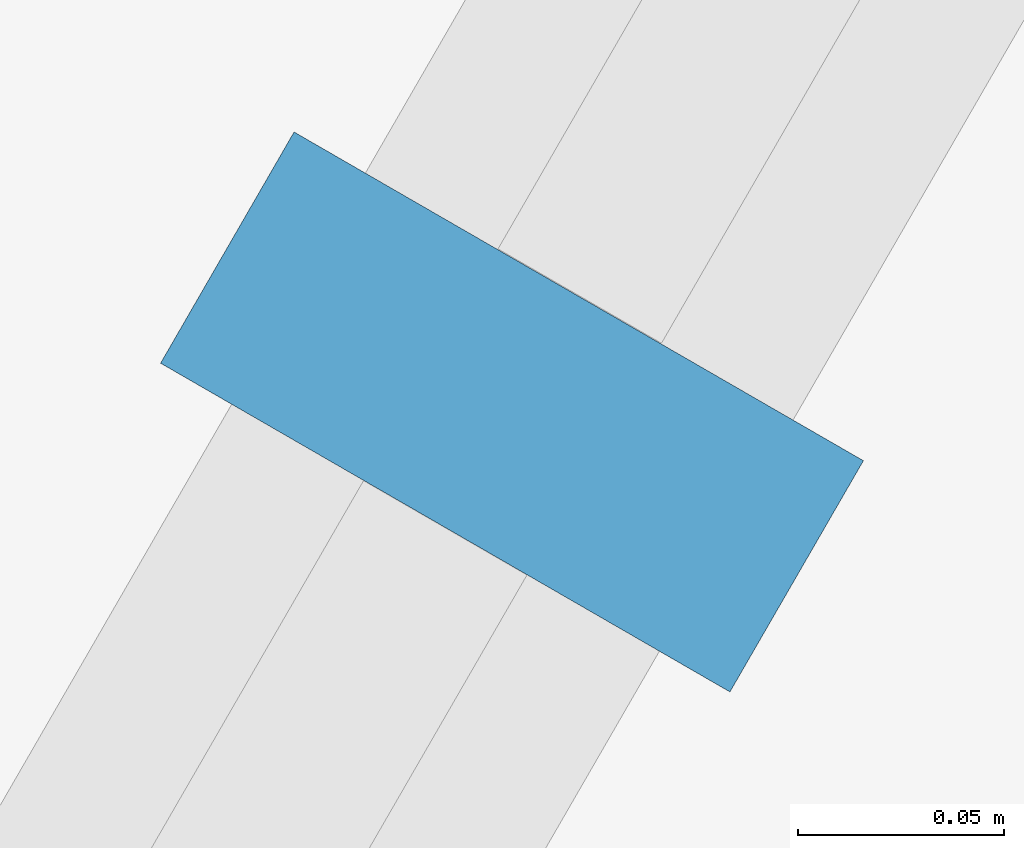
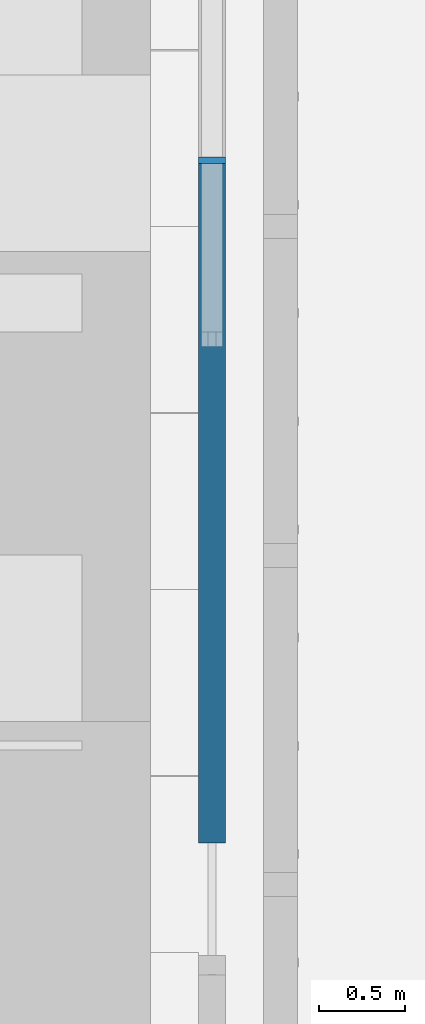
# One storey, part 110 of 228: 1 member, 1 element without a shape of its own.
"""IFC4 building model written with IfcOpenShell, lengths in metres."""

import ifcopenshell
import ifcopenshell.guid

model = None  # the IFC model being written
_history = None  # IfcOwnerHistory: only IFC2X3 demands one
_inside = {}  # id of a spatial element -> (the spatial element, [elements in it])
_under = {}  # id of a project, library or spatial element -> (it, [spatial elements below it])
_declared = {}  # id of a project -> (the project, [libraries it declares])
_typed = {}  # id of a type object -> (the type object, [elements of that type])
_made_of = {}  # id of a material, layer set ... -> (it, [elements and type objects made of it])


def new_model(schema):
    """Start an empty IFC model of exactly this schema.

    Asked for "IFC4X3", IfcOpenShell would pick the latest addendum, in which some entities
    have other attributes; the version numbers below select the first issue.
    IFC2X3 requires an IfcOwnerHistory on every rooted entity: one is made here for all.
    """
    global model, _history
    if schema == "IFC4X3":
        model = ifcopenshell.file(schema_version=(4, 3, 0, 0))
    else:
        model = ifcopenshell.file(schema=schema)
    _inside.clear()
    _under.clear()
    _declared.clear()
    _typed.clear()
    _made_of.clear()
    _history = None
    if model.schema == "IFC2X3":
        org = make("IfcOrganization", Name="unknown")
        user = make(
            "IfcPersonAndOrganization",
            ThePerson=make("IfcPerson", FamilyName="unknown"),
            TheOrganization=org,
        )
        app = make(
            "IfcApplication",
            ApplicationDeveloper=org,
            Version="unknown",
            ApplicationFullName="unknown",
            ApplicationIdentifier="unknown",
        )
        _history = make(
            "IfcOwnerHistory",
            OwningUser=user,
            OwningApplication=app,
            ChangeAction="ADDED",
            CreationDate=0,
        )
    return model


def make(cls, **values):
    """One entity of the class cls with the attributes given. An attribute that is None is left unset."""
    return model.create_entity(
        cls, **{name: value for name, value in values.items() if value is not None}
    )


def rooted(cls, **values):
    """An entity with a GlobalId (a new one), such as an element, a storey or a relation."""
    return make(cls, GlobalId=ifcopenshell.guid.new(), OwnerHistory=_history, **values)


def si_unit(unit_type, name, prefix=None):
    """IfcSIUnit, for example si_unit("LENGTHUNIT", "METRE", prefix="MILLI")."""
    return make("IfcSIUnit", UnitType=unit_type, Prefix=prefix, Name=name)


def assignment(units):
    """IfcUnitAssignment: the units of a project."""
    return None if units is None else make("IfcUnitAssignment", Units=units)


def point(xyz):
    """IfcCartesianPoint."""
    return None if xyz is None else make("IfcCartesianPoint", Coordinates=xyz)


def direction(xyz):
    """IfcDirection."""
    return None if xyz is None else make("IfcDirection", DirectionRatios=xyz)


def frame(location, z_axis=None, x_axis=None):
    """IfcAxis2Placement3D, a coordinate frame: its origin and axes. An axis left out is left unset."""
    return make(
        "IfcAxis2Placement3D",
        Location=point(location),
        Axis=direction(z_axis),
        RefDirection=direction(x_axis),
    )


def frame_2d(location, x_axis=None):
    """IfcAxis2Placement2D, a coordinate frame in the plane: its origin and x axis."""
    return make(
        "IfcAxis2Placement2D", Location=point(location), RefDirection=direction(x_axis)
    )


def origin():
    """The frame at (0, 0, 0) with its axes left unset."""
    return frame((0.0, 0.0, 0.0))


def origin_2d():
    """The frame at (0, 0) in the plane with its x axis left unset."""
    return frame_2d((0.0, 0.0))


def place(relative_to, where):
    """IfcLocalPlacement: puts the frame where relative to a parent placement (None: the world)."""
    return make(
        "IfcLocalPlacement", PlacementRelTo=relative_to, RelativePlacement=where
    )


def context(
    kind, dimensions, precision=None, world=None, true_north=None, identifier=None
):
    """IfcGeometricRepresentationContext, for example the 3D "Model" context."""
    return make(
        "IfcGeometricRepresentationContext",
        ContextIdentifier=identifier,
        ContextType=kind,
        CoordinateSpaceDimension=dimensions,
        Precision=precision,
        WorldCoordinateSystem=world,
        TrueNorth=true_north,
    )


def subcontext(parent, identifier, kind, view, scale=None):
    """IfcGeometricRepresentationSubContext, for example "Body" below "Model"."""
    return make(
        "IfcGeometricRepresentationSubContext",
        ContextIdentifier=identifier,
        ContextType=kind,
        ParentContext=parent,
        TargetScale=scale,
        TargetView=view,
    )


def project(units=None, contexts=None):
    """IfcProject with its units and contexts."""
    return rooted(
        "IfcProject",
        Name="project",
        RepresentationContexts=contexts,
        UnitsInContext=assignment(units),
    )


def spatial(cls, under=None, at=None, **own):
    """A site, building, storey or space (cls), placed at a placement, below another one or the project."""
    s = rooted(cls, ObjectPlacement=at, **own)
    if under is not None:
        _under.setdefault(under.id(), (under, []))[1].append(s)
    return s


def profile(cls, at=None, kind="AREA", **sizes):
    """A parametric profile (cls). Its sizes go by their IFC names, for example OverallWidth=200.0."""
    return make(cls, ProfileType=kind, Position=at, **sizes)


def rectangle(**sizes):
    """IfcRectangleProfileDef."""
    return profile("IfcRectangleProfileDef", **sizes)


def extrude(swept, where, along, depth):
    """IfcExtrudedAreaSolid: the profile swept, set in the frame where, extruded along a direction by depth."""
    return make(
        "IfcExtrudedAreaSolid",
        SweptArea=swept,
        Position=where,
        ExtrudedDirection=direction(along),
        Depth=depth,
    )


def shape(context_of_items, identifier, shape_type, items):
    """IfcShapeRepresentation: the items that make up one representation, for example the "Body"."""
    return make(
        "IfcShapeRepresentation",
        ContextOfItems=context_of_items,
        RepresentationIdentifier=identifier,
        RepresentationType=shape_type,
        Items=items,
    )


def material(Name=None, Category=None):
    """IfcMaterial."""
    return make("IfcMaterial", Name=Name, Category=Category)


def material_profile(
    of_material, cross_section, Name=None, Category=None, Priority=None
):
    """IfcMaterialProfile: a cross section and its material."""
    return make(
        "IfcMaterialProfile",
        Name=Name,
        Material=of_material,
        Profile=cross_section,
        Priority=Priority,
        Category=Category,
    )


def profile_set(profiles, Name=None, composite=None):
    """IfcMaterialProfileSet."""
    return make(
        "IfcMaterialProfileSet",
        Name=Name,
        MaterialProfiles=profiles,
        CompositeProfile=composite,
    )


def made_of(thing, what):
    """Note that an element or type object is made of a material, layer set ...; save() writes the relation."""
    if what is not None:
        _made_of.setdefault(what.id(), (what, []))[1].append(thing)
    return thing


def type_object(cls, material=None, **own):
    """A type object (cls), such as IfcWallType, which elements share."""
    return made_of(rooted(cls, **own), material)


def element(
    cls,
    number,
    at=None,
    inside=None,
    cuts=None,
    type_object=None,
    material=None,
    context=None,
    identifier="Body",
    shape_type=None,
    held_by="IfcProductDefinitionShape",
    body=None,
    shapes=None,
    **own,
):
    """One element of the class cls, such as IfcWall. Its Tag is "e" and its number.

    at: its placement. inside: the storey or other place that contains it. cuts: it is an
    opening in that element (IfcRelVoidsElement). A single representation is given by context,
    identifier, shape_type and body (its items); several are given by shapes. held_by: the class
    of the entity that holds the representations. save() writes the other relations.
    """
    e = rooted(cls, Tag="e%d" % number, ObjectPlacement=at, **own)
    if body is not None:
        shapes = [shape(context, identifier, shape_type, body)]
    if shapes is not None:
        e.Representation = make(held_by, Representations=shapes)
    if inside is not None:
        _inside.setdefault(inside.id(), (inside, []))[1].append(e)
    if cuts is not None:
        rooted(
            "IfcRelVoidsElement", RelatingBuildingElement=cuts, RelatedOpeningElement=e
        )
    if type_object is not None:
        _typed.setdefault(type_object.id(), (type_object, []))[1].append(e)
    return made_of(e, material)


def aggregate(whole, parts):
    """IfcRelAggregates: a whole, such as a stair, and the parts it consists of."""
    return rooted("IfcRelAggregates", RelatingObject=whole, RelatedObjects=parts)


def save(model, path):
    """Write the relations noted so far, then the file.

    IfcRelAggregates (storeys below a building ...), IfcRelContainedInSpatialStructure (elements
    in a storey), IfcRelDefinesByType, IfcRelAssociatesMaterial and IfcRelDeclares: one each for
    every whole, place, type object, material and project.
    """
    for whole, parts in _under.values():
        aggregate(whole, parts)
    for where, things in _inside.values():
        rooted(
            "IfcRelContainedInSpatialStructure",
            RelatedElements=things,
            RelatingStructure=where,
        )
    for kind, things in _typed.values():
        rooted("IfcRelDefinesByType", RelatedObjects=things, RelatingType=kind)
    for what, things in _made_of.values():
        rooted("IfcRelAssociatesMaterial", RelatedObjects=things, RelatingMaterial=what)
    for by, libraries in _declared.values():
        rooted("IfcRelDeclares", RelatingContext=by, RelatedDefinitions=libraries)
    model.write(path)


model = new_model("IFC4")

# Units and contexts
model_context = context("Model", 3, precision=1e-05, world=origin(), true_north=direction((0.0, 1.0)))
body_context = subcontext(model_context, "Body", "Model", "MODEL_VIEW")
ifc_project = project(units=[si_unit("LENGTHUNIT", "METRE"), si_unit("AREAUNIT", "SQUARE_METRE"), si_unit("VOLUMEUNIT", "CUBIC_METRE"), si_unit("PLANEANGLEUNIT", "RADIAN"), si_unit("MASSUNIT", "GRAM", prefix="KILO")], contexts=[model_context])

# Site, building, storey
site_placement = place(None, origin())
site = spatial("IfcSite", under=ifc_project, at=site_placement, CompositionType="ELEMENT")
building_placement = place(site_placement, origin())
building = spatial("IfcBuilding", under=site, at=building_placement, Name="Sandreach Pilgrim Tower", CompositionType="ELEMENT")
storey_placement = place(building_placement, frame((0.0, 0.0, 178.199951171875)))
storey = spatial("IfcBuildingStorey", under=building, at=storey_placement, Name="L44", CompositionType="ELEMENT", Elevation=178.199951171875)

# Curtain wall, member
ifc_material_1 = material(Name="Aluminium framed curtain wall", Category="aluminium")
curtain_wall_type = type_object("IfcCurtainWallType", Name="Upper hotel tower curtain wall", PredefinedType="NOTDEFINED", material=ifc_material_1)
curtain_wall_placement = place(storey_placement, origin())
curtain_wall = element("IfcCurtainWall", 1, at=curtain_wall_placement, inside=storey, type_object=curtain_wall_type, Name="CW-3 L44 SE", PredefinedType="NOTDEFINED")
ifc_material_2 = material(Name="Aluminium extrusion", Category="aluminium")
ifc_material_profile = material_profile(ifc_material_2, rectangle(XDim=0.06494140625, YDim=0.159912109375, at=origin_2d()), Name="CW-3M 65X160")
ifc_profile_set = profile_set([ifc_material_profile], Name="Aluminium extrusion")
member_type = type_object("IfcMemberType", Name="CW-3 mullion", PredefinedType="MULLION", material=ifc_profile_set)
member_placement = place(storey_placement, frame((21.223388671875, -5.56005859375, 0.0), z_axis=(0.0, 0.0, 1.0), x_axis=(-0.5, -0.866025403784, 0.0)))
member = element("IfcMember", 2, at=member_placement, type_object=member_type, Name="CW-3 mullion 4", PredefinedType="MULLION", context=body_context, shape_type="SweptSolid", body=[
    extrude(rectangle(XDim=0.06494140625, YDim=0.159912109375, at=origin_2d()), origin(), (0.0, 0.0, 1.0), 4.840087890625),
])
aggregate(curtain_wall, [member])

save(model, "model.ifc")
